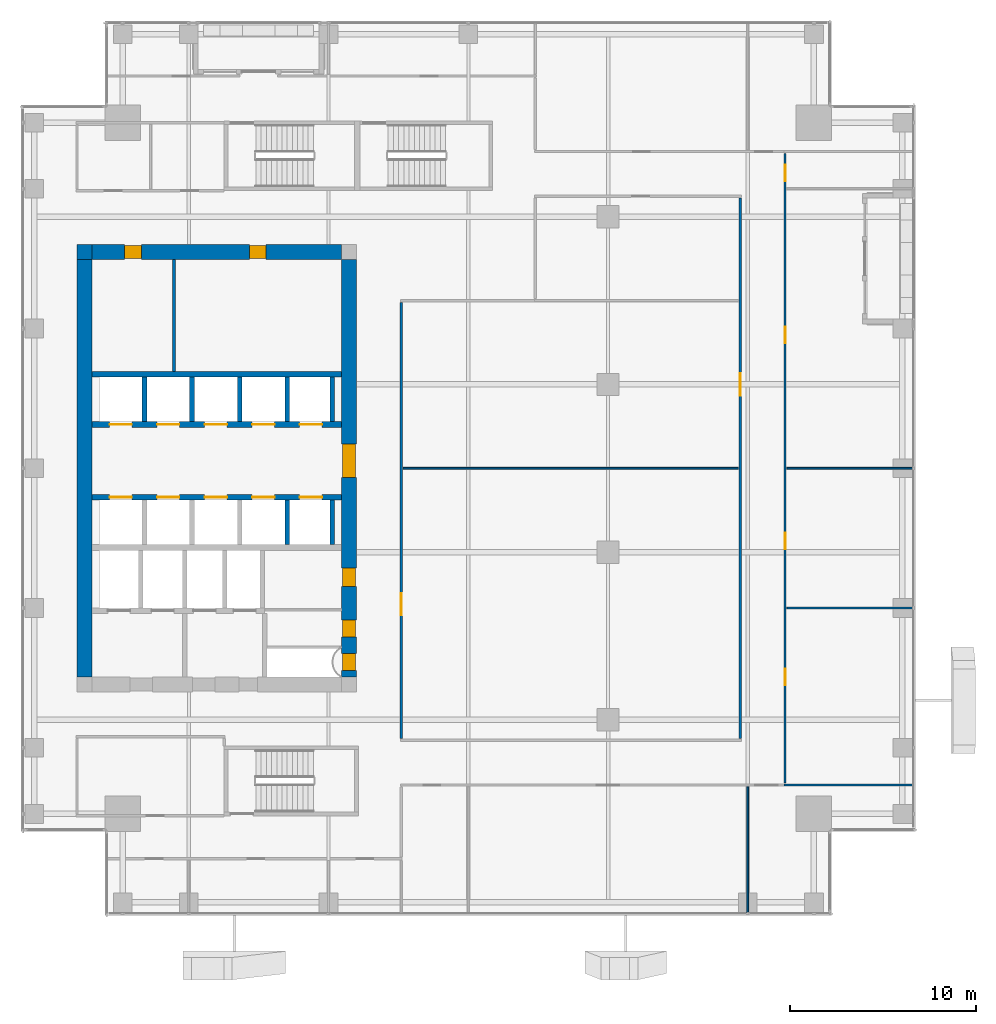
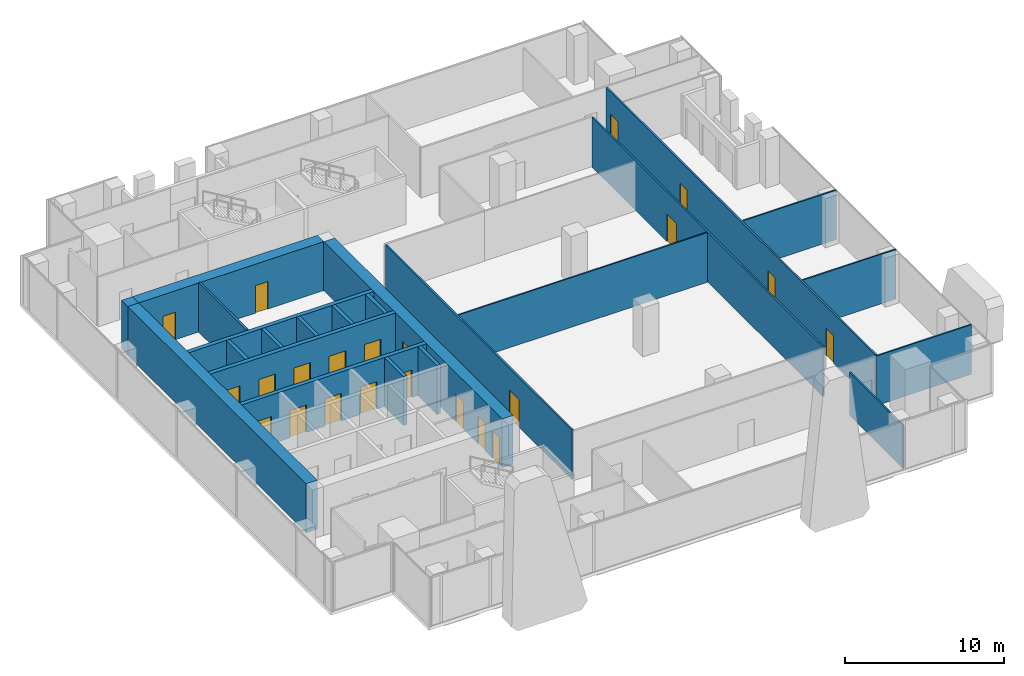
# One storey, part 33 of 38: 23 walls, 22 doors, 22 openings.
"""IFC4 building model written with IfcOpenShell, lengths in metres."""

from ifc_helpers import new_model, si_unit, direction, frame, frame_2d, origin, place, context, subcontext, project, spatial, rectangle, extrude, source, transform, mapped, material, layer, layer_set, type_object, element, fill, save


model = new_model("IFC4")

# Units and contexts
model_context = context("Model", 3, precision=1e-05, world=origin(), true_north=direction((0.0, 1.0)))
body_context = subcontext(model_context, "Body", "Model", "MODEL_VIEW")
ifc_project = project(units=[si_unit("LENGTHUNIT", "METRE"), si_unit("AREAUNIT", "SQUARE_METRE"), si_unit("VOLUMEUNIT", "CUBIC_METRE"), si_unit("PLANEANGLEUNIT", "RADIAN"), si_unit("MASSUNIT", "GRAM", prefix="KILO")], contexts=[model_context])

# Site, building, storey
site_placement = place(None, origin())
site = spatial("IfcSite", under=ifc_project, at=site_placement, CompositionType="ELEMENT")
building_placement = place(site_placement, origin())
building = spatial("IfcBuilding", under=site, at=building_placement, Name="Khomas Fold Tower", CompositionType="ELEMENT")
storey_placement = place(building_placement, frame((0.0, 0.0, 196.699951171875)))
storey = spatial("IfcBuildingStorey", under=building, at=storey_placement, Name="L43", CompositionType="ELEMENT", Elevation=196.699951171875)

# Wall, openings, doors
ifc_material_1 = material(Name="Concrete C60/75", Category="concrete")
ifc_layer_1 = layer(ifc_material_1, 0.800048828125)
ifc_layer_set_1 = layer_set([ifc_layer_1], Name="Concrete C60/75")
wall_type_1 = type_object("IfcWallType", Name="Core wall 800", PredefinedType="SHEAR", material=ifc_layer_set_1)
shared_shape_1 = source(origin(), body_context, "Body", "SweptSolid", [
    extrude(rectangle(XDim=13.39990234375, YDim=0.800048828125, at=frame_2d((6.699951171875, 0.0))), origin(), (0.0, 0.0, 1.0), 3.75),
])
wall_1_placement = place(storey_placement, frame((6.800048828125, 38.60009765625, 0.0), z_axis=(0.0, 0.0, 1.0), x_axis=(1.0, 0.0, 0.0)))
wall_1 = element("IfcWall", 1, at=wall_1_placement, inside=storey, type_object=wall_type_1, Name="Core wall CW-U-N-L35", PredefinedType="SHEAR", context=body_context, shape_type="MappedRepresentation", body=[
    mapped(shared_shape_1, transform((0.0, 0.0, 0.0))),
])
shared_shape_2 = source(origin(), body_context, "Body", "SweptSolid", [
    extrude(rectangle(XDim=0.89990234375, YDim=2.10009765625, at=frame_2d((0.449951171875, 1.050048828125))), frame((0.0, 0.409912109375, 0.0), z_axis=(0.0, -1.0, 0.0), x_axis=(1.0, 0.0, 0.0)), (0.0, 0.0, 1.0), 0.820068359375),
])
opening_1_placement = place(wall_1_placement, frame((1.75, 0.0, 0.0)))
opening_1 = element("IfcOpeningElement", 2, at=opening_1_placement, cuts=wall_1, Name="Opening 0003", PredefinedType="OPENING", context=body_context, shape_type="MappedRepresentation", body=[
    mapped(shared_shape_2, transform((0.0, 0.0, 0.0))),
])
opening_2_placement = place(wall_1_placement, frame((8.449951171875, 0.0, 0.0)))
opening_2 = element("IfcOpeningElement", 3, at=opening_2_placement, cuts=wall_1, Name="Opening 0008", PredefinedType="OPENING", context=body_context, shape_type="MappedRepresentation", body=[
    mapped(shared_shape_2, transform((0.0, 0.0, 0.0))),
])
ifc_material_2 = material(Name="Steel door leaf", Category="steel")
door_type_1 = type_object("IfcDoorType", Name="Plant room door 900x2100 right-hand", OperationType="SINGLE_SWING_RIGHT", PredefinedType="DOOR", material=ifc_material_2)
shared_shape_3 = source(origin(), body_context, "Body", "SweptSolid", [
    extrude(rectangle(XDim=0.89990234375, YDim=2.10009765625, at=frame_2d((0.449951171875, 1.050048828125))), frame((0.0, 0.35009765625, 0.0), z_axis=(0.0, -1.0, 0.0), x_axis=(1.0, 0.0, 0.0)), (0.0, 0.0, 1.0), 0.699951171875),
])
door_1_placement = place(opening_1_placement, origin())
door_1 = element("IfcDoor", 4, at=door_1_placement, inside=storey, type_object=door_type_1, Name="Plant room door", OperationType="SINGLE_SWING_RIGHT", OverallHeight=2.10009765625, OverallWidth=0.89990234375, PredefinedType="DOOR", context=body_context, shape_type="MappedRepresentation", body=[
    mapped(shared_shape_3, transform((0.0, 0.0, 0.0))),
])
fill(opening_1, door_1)
ifc_material_3 = material(Name="Timber door leaf", Category="wood")
door_type_2 = type_object("IfcDoorType", Name="Door 900x2100 right-hand", OperationType="SINGLE_SWING_RIGHT", PredefinedType="DOOR", material=ifc_material_3)
door_2_placement = place(opening_2_placement, origin())
door_2 = element("IfcDoor", 5, at=door_2_placement, inside=storey, type_object=door_type_2, Name="Door", OperationType="SINGLE_SWING_RIGHT", OverallHeight=2.10009765625, OverallWidth=0.89990234375, PredefinedType="DOOR", context=body_context, shape_type="MappedRepresentation", body=[
    mapped(shared_shape_3, transform((0.0, 0.0, 0.0))),
])
fill(opening_2, door_2)

# Wall
ifc_material_4 = material(Name="Concrete C60/75", Category="concrete")
ifc_layer_2 = layer(ifc_material_4, 0.800048828125)
ifc_layer_set_2 = layer_set([ifc_layer_2], Name="Concrete C60/75")
wall_type_2 = type_object("IfcWallType", Name="Core corner wall 800", PredefinedType="SHEAR", material=ifc_layer_set_2)
shared_shape_4 = source(origin(), body_context, "Body", "SweptSolid", [
    extrude(rectangle(XDim=0.800048828125, YDim=0.800048828125, at=frame_2d((0.39990234375, 0.0))), origin(), (0.0, 0.0, 1.0), 3.75),
])
wall_2_placement = place(storey_placement, frame((6.0, 38.60009765625, 0.0), z_axis=(0.0, 0.0, 1.0), x_axis=(1.0, 0.0, 0.0)))
element("IfcWall", 6, at=wall_2_placement, inside=storey, type_object=wall_type_2, Name="Core wall CW-U-NW-L35", PredefinedType="SHEAR", context=body_context, shape_type="MappedRepresentation", body=[
    mapped(shared_shape_4, transform((0.0, 0.0, 0.0))),
])

# Wall, openings, doors
shared_shape_5 = source(origin(), body_context, "Body", "SweptSolid", [
    extrude(rectangle(XDim=22.39990234375, YDim=0.800048828125, at=frame_2d((11.199951171875, 0.0))), origin(), (0.0, 0.0, 1.0), 3.75),
])
wall_3_placement = place(storey_placement, frame((20.60009765625, 15.800048828125, 0.0), z_axis=(0.0, 0.0, 1.0), x_axis=(0.0, 1.0, 0.0)))
wall_3 = element("IfcWall", 7, at=wall_3_placement, inside=storey, type_object=wall_type_1, Name="Core wall CW-U-E-L35", PredefinedType="SHEAR", context=body_context, shape_type="MappedRepresentation", body=[
    mapped(shared_shape_5, transform((0.0, 0.0, 0.0))),
])
shared_shape_6 = source(origin(), body_context, "Body", "SweptSolid", [
    extrude(rectangle(XDim=1.800048828125, YDim=2.10009765625, at=frame_2d((0.89990234375, 1.050048828125))), frame((0.0, 0.409912109375, 0.0), z_axis=(0.0, -1.0, 0.0), x_axis=(1.0, 0.0, 0.0)), (0.0, 0.0, 1.0), 0.820068359375),
])
opening_3_placement = place(wall_3_placement, frame((10.699951171875, 0.0, 0.0)))
opening_3 = element("IfcOpeningElement", 8, at=opening_3_placement, cuts=wall_3, Name="Opening 0015", PredefinedType="OPENING", context=body_context, shape_type="MappedRepresentation", body=[
    mapped(shared_shape_6, transform((0.0, 0.0, 0.0))),
])
opening_4_placement = place(wall_3_placement, frame((0.35009765625, 0.0, 0.0)))
opening_4 = element("IfcOpeningElement", 9, at=opening_4_placement, cuts=wall_3, Name="Opening 0003", PredefinedType="OPENING", context=body_context, shape_type="MappedRepresentation", body=[
    mapped(shared_shape_2, transform((0.0, 0.0, 0.0))),
])
opening_5_placement = place(wall_3_placement, frame((2.14990234375, 0.0, 0.0)))
opening_5 = element("IfcOpeningElement", 10, at=opening_5_placement, cuts=wall_3, Name="Opening 0008", PredefinedType="OPENING", context=body_context, shape_type="MappedRepresentation", body=[
    mapped(shared_shape_2, transform((0.0, 0.0, 0.0))),
])
shared_shape_7 = source(origin(), body_context, "Body", "SweptSolid", [
    extrude(rectangle(XDim=1.0, YDim=2.10009765625, at=frame_2d((0.5, 1.050048828125))), frame((0.0, 0.409912109375, 0.0), z_axis=(0.0, -1.0, 0.0), x_axis=(1.0, 0.0, 0.0)), (0.0, 0.0, 1.0), 0.820068359375),
])
opening_6_placement = place(wall_3_placement, frame((4.85009765625, 0.0, 0.0)))
opening_6 = element("IfcOpeningElement", 11, at=opening_6_placement, cuts=wall_3, Name="Opening 0006", PredefinedType="OPENING", context=body_context, shape_type="MappedRepresentation", body=[
    mapped(shared_shape_7, transform((0.0, 0.0, 0.0))),
])
ifc_material_5 = material(Name="Steel door leaf", Category="steel")
door_type_3 = type_object("IfcDoorType", Name="Lobby door 1800x2100", OperationType="DOUBLE_DOOR_SINGLE_SWING", PredefinedType="DOOR", material=ifc_material_5)
shared_shape_8 = source(origin(), body_context, "Body", "SweptSolid", [
    extrude(rectangle(XDim=1.800048828125, YDim=2.10009765625, at=frame_2d((0.89990234375, 1.050048828125))), frame((0.0, 0.35009765625, 0.0), z_axis=(0.0, -1.0, 0.0), x_axis=(1.0, 0.0, 0.0)), (0.0, 0.0, 1.0), 0.699951171875),
])
door_3_placement = place(opening_3_placement, origin())
door_3 = element("IfcDoor", 12, at=door_3_placement, inside=storey, type_object=door_type_3, Name="Lobby door", OperationType="DOUBLE_DOOR_SINGLE_SWING", OverallHeight=2.10009765625, OverallWidth=1.800048828125, PredefinedType="DOOR", context=body_context, shape_type="MappedRepresentation", body=[
    mapped(shared_shape_8, transform((0.0, 0.0, 0.0))),
])
fill(opening_3, door_3)
door_4_placement = place(opening_4_placement, origin())
door_4 = element("IfcDoor", 13, at=door_4_placement, inside=storey, type_object=door_type_1, Name="Plant room door", OperationType="SINGLE_SWING_RIGHT", OverallHeight=2.10009765625, OverallWidth=0.89990234375, PredefinedType="DOOR", context=body_context, shape_type="MappedRepresentation", body=[
    mapped(shared_shape_3, transform((0.0, 0.0, 0.0))),
])
fill(opening_4, door_4)
door_5_placement = place(opening_5_placement, origin())
door_5 = element("IfcDoor", 14, at=door_5_placement, inside=storey, type_object=door_type_2, Name="Door", OperationType="SINGLE_SWING_RIGHT", OverallHeight=2.10009765625, OverallWidth=0.89990234375, PredefinedType="DOOR", context=body_context, shape_type="MappedRepresentation", body=[
    mapped(shared_shape_3, transform((0.0, 0.0, 0.0))),
])
fill(opening_5, door_5)
ifc_material_6 = material(Name="Timber door leaf", Category="wood")
door_type_4 = type_object("IfcDoorType", Name="WC door 1000x2100 right-hand", OperationType="SINGLE_SWING_RIGHT", PredefinedType="DOOR", material=ifc_material_6)
shared_shape_9 = source(origin(), body_context, "Body", "SweptSolid", [
    extrude(rectangle(XDim=1.0, YDim=2.10009765625, at=frame_2d((0.5, 1.050048828125))), frame((0.0, 0.35009765625, 0.0), z_axis=(0.0, -1.0, 0.0), x_axis=(1.0, 0.0, 0.0)), (0.0, 0.0, 1.0), 0.699951171875),
])
door_6_placement = place(opening_6_placement, origin())
door_6 = element("IfcDoor", 15, at=door_6_placement, inside=storey, type_object=door_type_4, Name="WC door", OperationType="SINGLE_SWING_RIGHT", OverallHeight=2.10009765625, OverallWidth=1.0, PredefinedType="DOOR", context=body_context, shape_type="MappedRepresentation", body=[
    mapped(shared_shape_9, transform((0.0, 0.0, 0.0))),
])
fill(opening_6, door_6)

# Walls
wall_4_placement = place(storey_placement, frame((6.39990234375, 15.800048828125, 0.0), z_axis=(0.0, 0.0, 1.0), x_axis=(0.0, 1.0, 0.0)))
element("IfcWall", 16, at=wall_4_placement, inside=storey, type_object=wall_type_1, Name="Core wall CW-U-W-L35", PredefinedType="SHEAR", context=body_context, shape_type="MappedRepresentation", body=[
    mapped(shared_shape_5, transform((0.0, 0.0, 0.0))),
])
ifc_material_7 = material(Name="Concrete C50/60", Category="concrete")
ifc_layer_3 = layer(ifc_material_7, 0.300048828125)
ifc_layer_set_3 = layer_set([ifc_layer_3], Name="Concrete C50/60")
wall_type_3 = type_object("IfcWallType", Name="Shaft wall 300", PredefinedType="STANDARD", material=ifc_layer_set_3)
shared_shape_10 = source(origin(), body_context, "Body", "SweptSolid", [
    extrude(rectangle(XDim=13.39990234375, YDim=0.300048828125, at=frame_2d((6.699951171875, 0.0))), origin(), (0.0, 0.0, 1.0), 3.75),
])
wall_5_placement = place(storey_placement, frame((6.800048828125, 32.050048828125, 0.0), z_axis=(0.0, 0.0, 1.0), x_axis=(1.0, 0.0, 0.0)))
element("IfcWall", 17, at=wall_5_placement, inside=storey, type_object=wall_type_3, Name="Core wall SW-HRN-B", PredefinedType="STANDARD", context=body_context, shape_type="MappedRepresentation", body=[
    mapped(shared_shape_10, transform((0.0, 0.0, 0.0))),
])

# Wall, openings, doors
wall_6_placement = place(storey_placement, frame((6.800048828125, 29.35009765625, 0.0), z_axis=(0.0, 0.0, 1.0), x_axis=(1.0, 0.0, 0.0)))
wall_6 = element("IfcWall", 18, at=wall_6_placement, inside=storey, type_object=wall_type_3, Name="Core wall SW-HRN-F", PredefinedType="STANDARD", context=body_context, shape_type="MappedRepresentation", body=[
    mapped(shared_shape_10, transform((0.0, 0.0, 0.0))),
])
shared_shape_11 = source(origin(), body_context, "Body", "SweptSolid", [
    extrude(rectangle(XDim=1.199951171875, YDim=2.10009765625, at=frame_2d((0.60009765625, 1.050048828125))), frame((0.0, 0.159912109375, 0.0), z_axis=(0.0, -1.0, 0.0), x_axis=(1.0, 0.0, 0.0)), (0.0, 0.0, 1.0), 0.320068359375),
])
opening_7_placement = place(wall_6_placement, frame((0.949951171875, 0.0, 0.0)))
opening_7 = element("IfcOpeningElement", 19, at=opening_7_placement, cuts=wall_6, Name="Opening LD-HR4", PredefinedType="OPENING", context=body_context, shape_type="MappedRepresentation", body=[
    mapped(shared_shape_11, transform((0.0, 0.0, 0.0))),
])
opening_8_placement = place(wall_6_placement, frame((3.5, 0.0, 0.0)))
opening_8 = element("IfcOpeningElement", 20, at=opening_8_placement, cuts=wall_6, Name="Opening LD-HR5", PredefinedType="OPENING", context=body_context, shape_type="MappedRepresentation", body=[
    mapped(shared_shape_11, transform((0.0, 0.0, 0.0))),
])
opening_9_placement = place(wall_6_placement, frame((6.050048828125, 0.0, 0.0)))
opening_9 = element("IfcOpeningElement", 21, at=opening_9_placement, cuts=wall_6, Name="Opening LD-HR6", PredefinedType="OPENING", context=body_context, shape_type="MappedRepresentation", body=[
    mapped(shared_shape_11, transform((0.0, 0.0, 0.0))),
])
opening_10_placement = place(wall_6_placement, frame((8.60009765625, 0.0, 0.0)))
opening_10 = element("IfcOpeningElement", 22, at=opening_10_placement, cuts=wall_6, Name="Opening LD-MR3", PredefinedType="OPENING", context=body_context, shape_type="MappedRepresentation", body=[
    mapped(shared_shape_11, transform((0.0, 0.0, 0.0))),
])
opening_11_placement = place(wall_6_placement, frame((11.14990234375, 0.0, 0.0)))
opening_11 = element("IfcOpeningElement", 23, at=opening_11_placement, cuts=wall_6, Name="Opening LD-MR4", PredefinedType="OPENING", context=body_context, shape_type="MappedRepresentation", body=[
    mapped(shared_shape_11, transform((0.0, 0.0, 0.0))),
])
ifc_material_8 = material(Name="Steel door leaf", Category="steel")
door_type_5 = type_object("IfcDoorType", Name="Landing door 1200x2100", OperationType="DOUBLE_DOOR_SLIDING", PredefinedType="DOOR", material=ifc_material_8)
shared_shape_12 = source(origin(), body_context, "Body", "SweptSolid", [
    extrude(rectangle(XDim=1.199951171875, YDim=2.10009765625, at=frame_2d((0.60009765625, 1.050048828125))), frame((0.0, 0.02490234375, 0.0), z_axis=(0.0, -1.0, 0.0), x_axis=(1.0, 0.0, 0.0)), (0.0, 0.0, 1.0), 0.050048828125),
])
door_7_placement = place(opening_7_placement, origin())
door_7 = element("IfcDoor", 24, at=door_7_placement, inside=storey, type_object=door_type_5, Name="Lift landing door", OperationType="DOUBLE_DOOR_SLIDING", OverallHeight=2.10009765625, OverallWidth=1.199951171875, PredefinedType="DOOR", context=body_context, shape_type="MappedRepresentation", body=[
    mapped(shared_shape_12, transform((0.0, 0.0, 0.0))),
])
fill(opening_7, door_7)
door_8_placement = place(opening_8_placement, origin())
door_8 = element("IfcDoor", 25, at=door_8_placement, inside=storey, type_object=door_type_5, Name="Lift landing door", OperationType="DOUBLE_DOOR_SLIDING", OverallHeight=2.10009765625, OverallWidth=1.199951171875, PredefinedType="DOOR", context=body_context, shape_type="MappedRepresentation", body=[
    mapped(shared_shape_12, transform((0.0, 0.0, 0.0))),
])
fill(opening_8, door_8)
door_9_placement = place(opening_9_placement, origin())
door_9 = element("IfcDoor", 26, at=door_9_placement, inside=storey, type_object=door_type_5, Name="Lift landing door", OperationType="DOUBLE_DOOR_SLIDING", OverallHeight=2.10009765625, OverallWidth=1.199951171875, PredefinedType="DOOR", context=body_context, shape_type="MappedRepresentation", body=[
    mapped(shared_shape_12, transform((0.0, 0.0, 0.0))),
])
fill(opening_9, door_9)
door_10_placement = place(opening_10_placement, origin())
door_10 = element("IfcDoor", 27, at=door_10_placement, inside=storey, type_object=door_type_5, Name="Lift landing door", OperationType="DOUBLE_DOOR_SLIDING", OverallHeight=2.10009765625, OverallWidth=1.199951171875, PredefinedType="DOOR", context=body_context, shape_type="MappedRepresentation", body=[
    mapped(shared_shape_12, transform((0.0, 0.0, 0.0))),
])
fill(opening_10, door_10)
door_11_placement = place(opening_11_placement, origin())
door_11 = element("IfcDoor", 28, at=door_11_placement, inside=storey, type_object=door_type_5, Name="Lift landing door", OperationType="DOUBLE_DOOR_SLIDING", OverallHeight=2.10009765625, OverallWidth=1.199951171875, PredefinedType="DOOR", context=body_context, shape_type="MappedRepresentation", body=[
    mapped(shared_shape_12, transform((0.0, 0.0, 0.0))),
])
fill(opening_11, door_11)

wall_7_placement = place(storey_placement, frame((6.800048828125, 25.449951171875, 0.0), z_axis=(0.0, 0.0, 1.0), x_axis=(1.0, 0.0, 0.0)))
wall_7 = element("IfcWall", 29, at=wall_7_placement, inside=storey, type_object=wall_type_3, Name="Core wall SW-HRS-F", PredefinedType="STANDARD", context=body_context, shape_type="MappedRepresentation", body=[
    mapped(shared_shape_10, transform((0.0, 0.0, 0.0))),
])
opening_12_placement = place(wall_7_placement, frame((0.949951171875, 0.0, 0.0)))
opening_12 = element("IfcOpeningElement", 30, at=opening_12_placement, cuts=wall_7, Name="Opening LD-HR1", PredefinedType="OPENING", context=body_context, shape_type="MappedRepresentation", body=[
    mapped(shared_shape_11, transform((0.0, 0.0, 0.0))),
])
opening_13_placement = place(wall_7_placement, frame((3.5, 0.0, 0.0)))
opening_13 = element("IfcOpeningElement", 31, at=opening_13_placement, cuts=wall_7, Name="Opening LD-HR2", PredefinedType="OPENING", context=body_context, shape_type="MappedRepresentation", body=[
    mapped(shared_shape_11, transform((0.0, 0.0, 0.0))),
])
opening_14_placement = place(wall_7_placement, frame((6.050048828125, 0.0, 0.0)))
opening_14 = element("IfcOpeningElement", 32, at=opening_14_placement, cuts=wall_7, Name="Opening LD-HR3", PredefinedType="OPENING", context=body_context, shape_type="MappedRepresentation", body=[
    mapped(shared_shape_11, transform((0.0, 0.0, 0.0))),
])
opening_15_placement = place(wall_7_placement, frame((8.60009765625, 0.0, 0.0)))
opening_15 = element("IfcOpeningElement", 33, at=opening_15_placement, cuts=wall_7, Name="Opening LD-MR1", PredefinedType="OPENING", context=body_context, shape_type="MappedRepresentation", body=[
    mapped(shared_shape_11, transform((0.0, 0.0, 0.0))),
])
opening_16_placement = place(wall_7_placement, frame((11.14990234375, 0.0, 0.0)))
opening_16 = element("IfcOpeningElement", 34, at=opening_16_placement, cuts=wall_7, Name="Opening LD-MR2", PredefinedType="OPENING", context=body_context, shape_type="MappedRepresentation", body=[
    mapped(shared_shape_11, transform((0.0, 0.0, 0.0))),
])
door_12_placement = place(opening_12_placement, origin())
door_12 = element("IfcDoor", 35, at=door_12_placement, inside=storey, type_object=door_type_5, Name="Lift landing door", OperationType="DOUBLE_DOOR_SLIDING", OverallHeight=2.10009765625, OverallWidth=1.199951171875, PredefinedType="DOOR", context=body_context, shape_type="MappedRepresentation", body=[
    mapped(shared_shape_12, transform((0.0, 0.0, 0.0))),
])
fill(opening_12, door_12)
door_13_placement = place(opening_13_placement, origin())
door_13 = element("IfcDoor", 36, at=door_13_placement, inside=storey, type_object=door_type_5, Name="Lift landing door", OperationType="DOUBLE_DOOR_SLIDING", OverallHeight=2.10009765625, OverallWidth=1.199951171875, PredefinedType="DOOR", context=body_context, shape_type="MappedRepresentation", body=[
    mapped(shared_shape_12, transform((0.0, 0.0, 0.0))),
])
fill(opening_13, door_13)
door_14_placement = place(opening_14_placement, origin())
door_14 = element("IfcDoor", 37, at=door_14_placement, inside=storey, type_object=door_type_5, Name="Lift landing door", OperationType="DOUBLE_DOOR_SLIDING", OverallHeight=2.10009765625, OverallWidth=1.199951171875, PredefinedType="DOOR", context=body_context, shape_type="MappedRepresentation", body=[
    mapped(shared_shape_12, transform((0.0, 0.0, 0.0))),
])
fill(opening_14, door_14)
door_15_placement = place(opening_15_placement, origin())
door_15 = element("IfcDoor", 38, at=door_15_placement, inside=storey, type_object=door_type_5, Name="Lift landing door", OperationType="DOUBLE_DOOR_SLIDING", OverallHeight=2.10009765625, OverallWidth=1.199951171875, PredefinedType="DOOR", context=body_context, shape_type="MappedRepresentation", body=[
    mapped(shared_shape_12, transform((0.0, 0.0, 0.0))),
])
fill(opening_15, door_15)
door_16_placement = place(opening_16_placement, origin())
door_16 = element("IfcDoor", 39, at=door_16_placement, inside=storey, type_object=door_type_5, Name="Lift landing door", OperationType="DOUBLE_DOOR_SLIDING", OverallHeight=2.10009765625, OverallWidth=1.199951171875, PredefinedType="DOOR", context=body_context, shape_type="MappedRepresentation", body=[
    mapped(shared_shape_12, transform((0.0, 0.0, 0.0))),
])
fill(opening_16, door_16)

# Walls
ifc_material_9 = material(Name="Concrete C50/60", Category="concrete")
ifc_layer_4 = layer(ifc_material_9, 0.25)
ifc_layer_set_4 = layer_set([ifc_layer_4], Name="Concrete C50/60")
wall_type_4 = type_object("IfcWallType", Name="Shaft wall 250", PredefinedType="STANDARD", material=ifc_layer_set_4)
shared_shape_13 = source(origin(), body_context, "Body", "SweptSolid", [
    extrude(rectangle(XDim=2.39990234375, YDim=0.25, at=frame_2d((1.199951171875, 0.0))), origin(), (0.0, 0.0, 1.0), 3.75),
])
for number, where, z_axis, x_axis, name in (
    (40, (17.27490234375, 29.5, 0.0), (0.0, 0.0, 1.0), (0.0, 1.0, 0.0), "Core wall SW-HRN-MR-P1"),
    (41, (19.699951171875, 29.5, 0.0), (0.0, 0.0, 1.0), (0.0, 1.0, 0.0), "Core wall SW-HRN-MR-PE"),
    (42, (9.625, 29.5, 0.0), (0.0, 0.0, 1.0), (0.0, 1.0, 0.0), "Core wall SW-HRN-P1"),
    (43, (12.175048828125, 29.5, 0.0), (0.0, 0.0, 1.0), (0.0, 1.0, 0.0), "Core wall SW-HRN-P2"),
    (44, (14.72509765625, 29.5, 0.0), (0.0, 0.0, 1.0), (0.0, 1.0, 0.0), "Core wall SW-HRN-PE"),
):
    element("IfcWall", number, at=place(storey_placement, frame(where, z_axis=z_axis, x_axis=x_axis)), inside=storey, type_object=wall_type_4, Name=name, PredefinedType="STANDARD", context=body_context, shape_type="MappedRepresentation", body=[
        mapped(shared_shape_13, transform((0.0, 0.0, 0.0))),
    ])
shared_shape_14 = source(origin(), body_context, "Body", "SweptSolid", [
    extrude(rectangle(XDim=2.400146484375, YDim=0.25, at=frame_2d((1.2001953125, 0.0))), origin(), (0.0, 0.0, 1.0), 3.75),
])
for number, where, z_axis, x_axis, name in (
    (45, (17.27490234375, 22.89990234375, 0.0), (0.0, 0.0, 1.0), (0.0, 1.0, 0.0), "Core wall SW-HRS-MR-P1"),
    (46, (19.699951171875, 22.89990234375, 0.0), (0.0, 0.0, 1.0), (0.0, 1.0, 0.0), "Core wall SW-HRS-MR-PE"),
):
    element("IfcWall", number, at=place(storey_placement, frame(where, z_axis=z_axis, x_axis=x_axis)), inside=storey, type_object=wall_type_4, Name=name, PredefinedType="STANDARD", context=body_context, shape_type="MappedRepresentation", body=[
        mapped(shared_shape_14, transform((0.0, 0.0, 0.0))),
    ])
ifc_material_10 = material(Name="Plasterboard partition")
ifc_layer_5 = layer(ifc_material_10, 0.10009765625)
ifc_layer_set_5 = layer_set([ifc_layer_5], Name="Plasterboard partition")
wall_type_5 = type_object("IfcWallType", Name="Partition PW1 100", PredefinedType="PARTITIONING", material=ifc_layer_set_5)
shared_shape_15 = source(origin(), body_context, "Body", "SweptSolid", [
    extrude(rectangle(XDim=18.0, YDim=0.10009765625, at=frame_2d((9.0, 0.0))), origin(), (0.0, 0.0, 1.0), 3.800048828125),
])
wall_8_placement = place(storey_placement, frame((23.5, 27.0, 0.0), z_axis=(0.0, 0.0, 1.0), x_axis=(1.0, 0.0, 0.0)))
element("IfcWall", 47, at=wall_8_placement, inside=storey, type_object=wall_type_5, Name="Partition", PredefinedType="PARTITIONING", context=body_context, shape_type="MappedRepresentation", body=[
    mapped(shared_shape_15, transform((0.0, 0.0, 0.0))),
])
shared_shape_16 = source(origin(), body_context, "Body", "SweptSolid", [
    extrude(rectangle(XDim=6.75, YDim=0.10009765625, at=frame_2d((3.375, 0.0))), origin(), (0.0, 0.0, 1.0), 3.800048828125),
])
for number, where, z_axis, x_axis, name in (
    (48, (44.10009765625, 19.5, 0.0), (0.0, 0.0, 1.0), (1.0, 0.0, 0.0), "Partition"),
    (49, (44.10009765625, 27.0, 0.0), (0.0, 0.0, 1.0), (1.0, 0.0, 0.0), "Partition"),
):
    element("IfcWall", number, at=place(storey_placement, frame(where, z_axis=z_axis, x_axis=x_axis)), inside=storey, type_object=wall_type_5, Name=name, PredefinedType="PARTITIONING", context=body_context, shape_type="MappedRepresentation", body=[
        mapped(shared_shape_16, transform((0.0, 0.0, 0.0))),
    ])
shared_shape_17 = source(origin(), body_context, "Body", "SweptSolid", [
    extrude(rectangle(XDim=6.75, YDim=0.10009765625, at=frame_2d((3.375, 0.0))), origin(), (0.0, 0.0, 1.0), 3.300048828125),
])
wall_9_placement = place(storey_placement, frame((42.0, 3.14990234375, 0.0), z_axis=(0.0, 0.0, 1.0), x_axis=(0.0, 1.0, 0.0)))
element("IfcWall", 50, at=wall_9_placement, inside=storey, type_object=wall_type_5, Name="Partition", PredefinedType="PARTITIONING", context=body_context, shape_type="MappedRepresentation", body=[
    mapped(shared_shape_17, transform((0.0, 0.0, 0.0))),
])
shared_shape_18 = source(origin(), body_context, "Body", "SweptSolid", [
    extrude(rectangle(XDim=6.900146484375, YDim=0.10009765625, at=frame_2d((3.4501953125, 0.0))), origin(), (0.0, 0.0, 1.0), 3.800048828125),
])
wall_10_placement = place(storey_placement, frame((43.949951171875, 10.0, 0.0), z_axis=(0.0, 0.0, 1.0), x_axis=(1.0, 0.0, 0.0)))
element("IfcWall", 51, at=wall_10_placement, inside=storey, type_object=wall_type_5, Name="Partition", PredefinedType="PARTITIONING", context=body_context, shape_type="MappedRepresentation", body=[
    mapped(shared_shape_18, transform((0.0, 0.0, 0.0))),
])

# Wall, openings, doors
ifc_material_11 = material(Name="Plasterboard partition")
ifc_layer_6 = layer(ifc_material_11, 0.125)
ifc_layer_set_6 = layer_set([ifc_layer_6], Name="Plasterboard partition")
wall_type_6 = type_object("IfcWallType", Name="Partition PW2 125", PredefinedType="PARTITIONING", material=ifc_layer_set_6)
shared_shape_19 = source(origin(), body_context, "Body", "SweptSolid", [
    extrude(rectangle(XDim=33.7998046875, YDim=0.125, at=frame_2d((16.89990234375, 0.0))), origin(), (0.0, 0.0, 1.0), 3.800048828125),
])
wall_11_placement = place(storey_placement, frame((44.0, 10.10009765625, 0.0), z_axis=(0.0, 0.0, 1.0), x_axis=(0.0, 1.0, 0.0)))
wall_11 = element("IfcWall", 52, at=wall_11_placement, inside=storey, type_object=wall_type_6, Name="Partition", PredefinedType="PARTITIONING", context=body_context, shape_type="MappedRepresentation", body=[
    mapped(shared_shape_19, transform((0.0, 0.0, 0.0))),
])
shared_shape_20 = source(origin(), body_context, "Body", "SweptSolid", [
    extrude(rectangle(XDim=0.89990234375, YDim=2.10009765625, at=frame_2d((0.449951171875, 1.050048828125))), frame((0.0, 0.072509765625, 0.0), z_axis=(0.0, -1.0, 0.0), x_axis=(1.0, 0.0, 0.0)), (0.0, 0.0, 1.0), 0.14501953125),
])
opening_17_placement = place(wall_11_placement, frame((5.25, 0.0, 0.0)))
opening_17 = element("IfcOpeningElement", 53, at=opening_17_placement, cuts=wall_11, Name="Opening 0007", PredefinedType="OPENING", context=body_context, shape_type="MappedRepresentation", body=[
    mapped(shared_shape_20, transform((0.0, 0.0, 0.0))),
])
opening_18_placement = place(wall_11_placement, frame((12.550048828125, 0.0, 0.0)))
opening_18 = element("IfcOpeningElement", 54, at=opening_18_placement, cuts=wall_11, Name="Opening 0007", PredefinedType="OPENING", context=body_context, shape_type="MappedRepresentation", body=[
    mapped(shared_shape_20, transform((0.0, 0.0, 0.0))),
])
opening_19_placement = place(wall_11_placement, frame((23.60009765625, 0.0, 0.0)))
opening_19 = element("IfcOpeningElement", 55, at=opening_19_placement, cuts=wall_11, Name="Opening 0007", PredefinedType="OPENING", context=body_context, shape_type="MappedRepresentation", body=[
    mapped(shared_shape_20, transform((0.0, 0.0, 0.0))),
])
opening_20_placement = place(wall_11_placement, frame((32.300048828125, 0.0, 0.0)))
opening_20 = element("IfcOpeningElement", 56, at=opening_20_placement, cuts=wall_11, Name="Opening 0007", PredefinedType="OPENING", context=body_context, shape_type="MappedRepresentation", body=[
    mapped(shared_shape_20, transform((0.0, 0.0, 0.0))),
])
ifc_material_12 = material(Name="Timber door leaf", Category="wood")
door_type_6 = type_object("IfcDoorType", Name="Door 900x2100 left-hand", OperationType="SINGLE_SWING_LEFT", PredefinedType="DOOR", material=ifc_material_12)
shared_shape_21 = source(origin(), body_context, "Body", "SweptSolid", [
    extrude(rectangle(XDim=0.89990234375, YDim=2.10009765625, at=frame_2d((0.449951171875, 1.050048828125))), frame((0.0, 0.02490234375, 0.0), z_axis=(0.0, -1.0, 0.0), x_axis=(1.0, 0.0, 0.0)), (0.0, 0.0, 1.0), 0.050048828125),
])
door_17_placement = place(opening_17_placement, origin())
door_17 = element("IfcDoor", 57, at=door_17_placement, inside=storey, type_object=door_type_6, Name="Door", OperationType="SINGLE_SWING_LEFT", OverallHeight=2.10009765625, OverallWidth=0.89990234375, PredefinedType="DOOR", context=body_context, shape_type="MappedRepresentation", body=[
    mapped(shared_shape_21, transform((0.0, 0.0, 0.0))),
])
fill(opening_17, door_17)
door_18_placement = place(opening_18_placement, origin())
door_18 = element("IfcDoor", 58, at=door_18_placement, inside=storey, type_object=door_type_6, Name="Door", OperationType="SINGLE_SWING_LEFT", OverallHeight=2.10009765625, OverallWidth=0.89990234375, PredefinedType="DOOR", context=body_context, shape_type="MappedRepresentation", body=[
    mapped(shared_shape_21, transform((0.0, 0.0, 0.0))),
])
fill(opening_18, door_18)
door_19_placement = place(opening_19_placement, origin())
door_19 = element("IfcDoor", 59, at=door_19_placement, inside=storey, type_object=door_type_6, Name="Door", OperationType="SINGLE_SWING_LEFT", OverallHeight=2.10009765625, OverallWidth=0.89990234375, PredefinedType="DOOR", context=body_context, shape_type="MappedRepresentation", body=[
    mapped(shared_shape_21, transform((0.0, 0.0, 0.0))),
])
fill(opening_19, door_19)
door_20_placement = place(opening_20_placement, origin())
door_20 = element("IfcDoor", 60, at=door_20_placement, inside=storey, type_object=door_type_6, Name="Door", OperationType="SINGLE_SWING_LEFT", OverallHeight=2.10009765625, OverallWidth=0.89990234375, PredefinedType="DOOR", context=body_context, shape_type="MappedRepresentation", body=[
    mapped(shared_shape_21, transform((0.0, 0.0, 0.0))),
])
fill(opening_20, door_20)

# Wall, opening, door
shared_shape_22 = source(origin(), body_context, "Body", "SweptSolid", [
    extrude(rectangle(XDim=23.39990234375, YDim=0.125, at=frame_2d((11.699951171875, 0.0))), origin(), (0.0, 0.0, 1.0), 3.800048828125),
])
wall_12_placement = place(storey_placement, frame((23.39990234375, 12.5, 0.0), z_axis=(0.0, 0.0, 1.0), x_axis=(0.0, 1.0, 0.0)))
wall_12 = element("IfcWall", 61, at=wall_12_placement, inside=storey, type_object=wall_type_6, Name="Partition", PredefinedType="PARTITIONING", context=body_context, shape_type="MappedRepresentation", body=[
    mapped(shared_shape_22, transform((0.0, 0.0, 0.0))),
])
shared_shape_23 = source(origin(), body_context, "Body", "SweptSolid", [
    extrude(rectangle(XDim=1.199951171875, YDim=2.10009765625, at=frame_2d((0.60009765625, 1.050048828125))), frame((0.0, 0.072509765625, 0.0), z_axis=(0.0, -1.0, 0.0), x_axis=(1.0, 0.0, 0.0)), (0.0, 0.0, 1.0), 0.14501953125),
])
opening_21_placement = place(wall_12_placement, frame((6.60009765625, 0.0, 0.0)))
opening_21 = element("IfcOpeningElement", 62, at=opening_21_placement, cuts=wall_12, Name="Opening 0013", PredefinedType="OPENING", context=body_context, shape_type="MappedRepresentation", body=[
    mapped(shared_shape_23, transform((0.0, 0.0, 0.0))),
])
ifc_material_13 = material(Name="Timber door leaf", Category="wood")
door_type_7 = type_object("IfcDoorType", Name="Door 1200x2100 left-hand", OperationType="SINGLE_SWING_LEFT", PredefinedType="DOOR", material=ifc_material_13)
door_21_placement = place(opening_21_placement, origin())
door_21 = element("IfcDoor", 63, at=door_21_placement, inside=storey, type_object=door_type_7, Name="Door", OperationType="SINGLE_SWING_LEFT", OverallHeight=2.10009765625, OverallWidth=1.199951171875, PredefinedType="DOOR", context=body_context, shape_type="MappedRepresentation", body=[
    mapped(shared_shape_12, transform((0.0, 0.0, 0.0))),
])
fill(opening_21, door_21)

shared_shape_24 = source(origin(), body_context, "Body", "SweptSolid", [
    extrude(rectangle(XDim=29.0, YDim=0.125, at=frame_2d((14.5, 0.0))), origin(), (0.0, 0.0, 1.0), 3.800048828125),
])
wall_13_placement = place(storey_placement, frame((41.60009765625, 12.5, 0.0), z_axis=(0.0, 0.0, 1.0), x_axis=(0.0, 1.0, 0.0)))
wall_13 = element("IfcWall", 64, at=wall_13_placement, inside=storey, type_object=wall_type_6, Name="Partition", PredefinedType="PARTITIONING", context=body_context, shape_type="MappedRepresentation", body=[
    mapped(shared_shape_24, transform((0.0, 0.0, 0.0))),
])
opening_22_placement = place(wall_13_placement, frame((18.39990234375, 0.0, 0.0)))
opening_22 = element("IfcOpeningElement", 65, at=opening_22_placement, cuts=wall_13, Name="Opening 0001", PredefinedType="OPENING", context=body_context, shape_type="MappedRepresentation", body=[
    mapped(shared_shape_23, transform((0.0, 0.0, 0.0))),
])
ifc_material_14 = material(Name="Timber door leaf", Category="wood")
door_type_8 = type_object("IfcDoorType", Name="Door 1200x2100 right-hand", OperationType="SINGLE_SWING_RIGHT", PredefinedType="DOOR", material=ifc_material_14)
door_22_placement = place(opening_22_placement, origin())
door_22 = element("IfcDoor", 66, at=door_22_placement, inside=storey, type_object=door_type_8, Name="Door", OperationType="SINGLE_SWING_RIGHT", OverallHeight=2.10009765625, OverallWidth=1.199951171875, PredefinedType="DOOR", context=body_context, shape_type="MappedRepresentation", body=[
    mapped(shared_shape_12, transform((0.0, 0.0, 0.0))),
])
fill(opening_22, door_22)

# Wall
ifc_material_15 = material(Name="Plasterboard fire partition")
ifc_layer_7 = layer(ifc_material_15, 0.14990234375)
ifc_layer_set_7 = layer_set([ifc_layer_7], Name="Plasterboard fire partition")
wall_type_7 = type_object("IfcWallType", Name="Plant room wall PW3 150", PredefinedType="PARTITIONING", material=ifc_layer_set_7)
shared_shape_25 = source(origin(), body_context, "Body", "SweptSolid", [
    extrude(rectangle(XDim=6.0, YDim=0.14990234375, at=frame_2d((3.0, 0.0))), origin(), (0.0, 0.0, 1.0), 3.800048828125),
])
wall_14_placement = place(storey_placement, frame((11.199951171875, 32.199951171875, 0.0), z_axis=(0.0, 0.0, 1.0), x_axis=(0.0, 1.0, 0.0)))
element("IfcWall", 67, at=wall_14_placement, inside=storey, type_object=wall_type_7, Name="Plant room wall", PredefinedType="PARTITIONING", context=body_context, shape_type="MappedRepresentation", body=[
    mapped(shared_shape_25, transform((0.0, 0.0, 0.0))),
])

save(model, "model.ifc")
